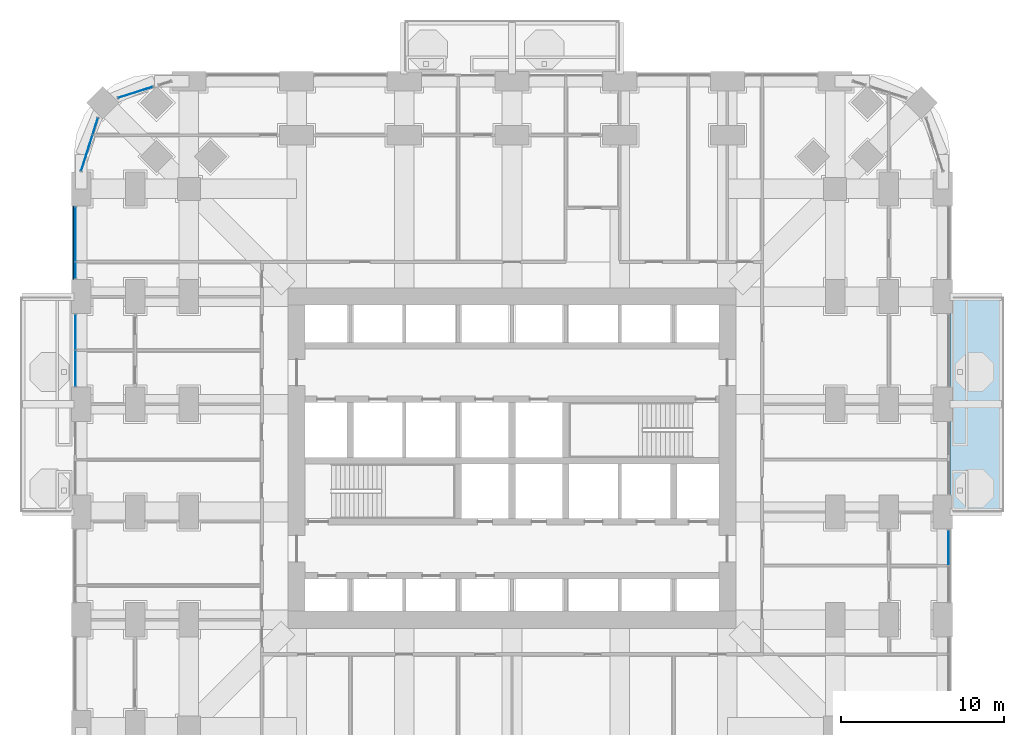
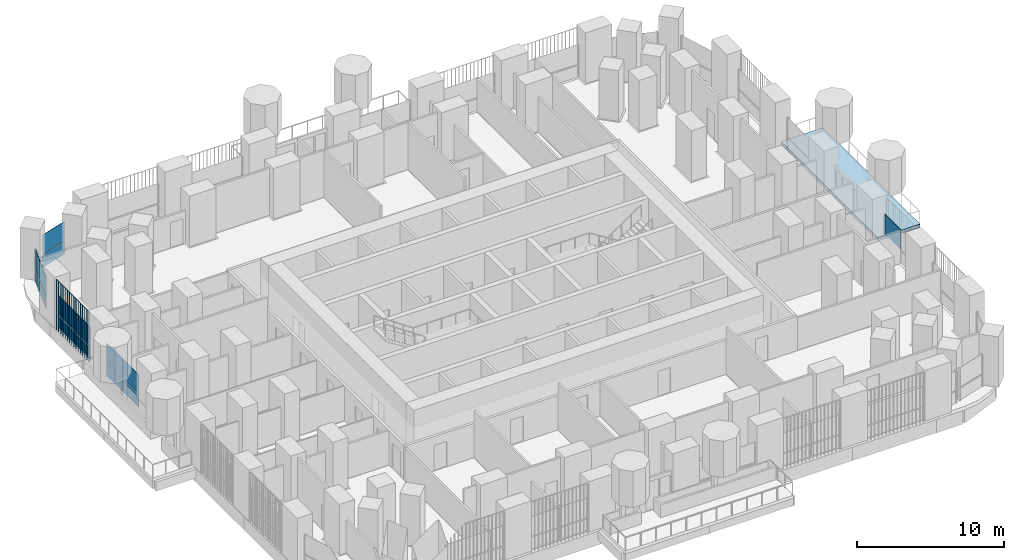
# One storey, part 14 of 26: 16 plates, 1 slab, 5 elements without a shape of their own.
"""IFC4 building model written with IfcOpenShell, lengths in metres."""

import ifcopenshell
import ifcopenshell.guid

model = None  # the IFC model being written
_history = None  # IfcOwnerHistory: only IFC2X3 demands one
_inside = {}  # id of a spatial element -> (the spatial element, [elements in it])
_under = {}  # id of a project, library or spatial element -> (it, [spatial elements below it])
_declared = {}  # id of a project -> (the project, [libraries it declares])
_typed = {}  # id of a type object -> (the type object, [elements of that type])
_made_of = {}  # id of a material, layer set ... -> (it, [elements and type objects made of it])


def new_model(schema):
    """Start an empty IFC model of exactly this schema.

    Asked for "IFC4X3", IfcOpenShell would pick the latest addendum, in which some entities
    have other attributes; the version numbers below select the first issue.
    IFC2X3 requires an IfcOwnerHistory on every rooted entity: one is made here for all.
    """
    global model, _history
    if schema == "IFC4X3":
        model = ifcopenshell.file(schema_version=(4, 3, 0, 0))
    else:
        model = ifcopenshell.file(schema=schema)
    _inside.clear()
    _under.clear()
    _declared.clear()
    _typed.clear()
    _made_of.clear()
    _history = None
    if model.schema == "IFC2X3":
        org = make("IfcOrganization", Name="unknown")
        user = make(
            "IfcPersonAndOrganization",
            ThePerson=make("IfcPerson", FamilyName="unknown"),
            TheOrganization=org,
        )
        app = make(
            "IfcApplication",
            ApplicationDeveloper=org,
            Version="unknown",
            ApplicationFullName="unknown",
            ApplicationIdentifier="unknown",
        )
        _history = make(
            "IfcOwnerHistory",
            OwningUser=user,
            OwningApplication=app,
            ChangeAction="ADDED",
            CreationDate=0,
        )
    return model


def make(cls, **values):
    """One entity of the class cls with the attributes given. An attribute that is None is left unset."""
    return model.create_entity(
        cls, **{name: value for name, value in values.items() if value is not None}
    )


def rooted(cls, **values):
    """An entity with a GlobalId (a new one), such as an element, a storey or a relation."""
    return make(cls, GlobalId=ifcopenshell.guid.new(), OwnerHistory=_history, **values)


def si_unit(unit_type, name, prefix=None):
    """IfcSIUnit, for example si_unit("LENGTHUNIT", "METRE", prefix="MILLI")."""
    return make("IfcSIUnit", UnitType=unit_type, Prefix=prefix, Name=name)


def assignment(units):
    """IfcUnitAssignment: the units of a project."""
    return None if units is None else make("IfcUnitAssignment", Units=units)


def point(xyz):
    """IfcCartesianPoint."""
    return None if xyz is None else make("IfcCartesianPoint", Coordinates=xyz)


def direction(xyz):
    """IfcDirection."""
    return None if xyz is None else make("IfcDirection", DirectionRatios=xyz)


def frame(location, z_axis=None, x_axis=None):
    """IfcAxis2Placement3D, a coordinate frame: its origin and axes. An axis left out is left unset."""
    return make(
        "IfcAxis2Placement3D",
        Location=point(location),
        Axis=direction(z_axis),
        RefDirection=direction(x_axis),
    )


def frame_2d(location, x_axis=None):
    """IfcAxis2Placement2D, a coordinate frame in the plane: its origin and x axis."""
    return make(
        "IfcAxis2Placement2D", Location=point(location), RefDirection=direction(x_axis)
    )


def origin():
    """The frame at (0, 0, 0) with its axes left unset."""
    return frame((0.0, 0.0, 0.0))


def origin_2d():
    """The frame at (0, 0) in the plane with its x axis left unset."""
    return frame_2d((0.0, 0.0))


def place(relative_to, where):
    """IfcLocalPlacement: puts the frame where relative to a parent placement (None: the world)."""
    return make(
        "IfcLocalPlacement", PlacementRelTo=relative_to, RelativePlacement=where
    )


def context(
    kind, dimensions, precision=None, world=None, true_north=None, identifier=None
):
    """IfcGeometricRepresentationContext, for example the 3D "Model" context."""
    return make(
        "IfcGeometricRepresentationContext",
        ContextIdentifier=identifier,
        ContextType=kind,
        CoordinateSpaceDimension=dimensions,
        Precision=precision,
        WorldCoordinateSystem=world,
        TrueNorth=true_north,
    )


def subcontext(parent, identifier, kind, view, scale=None):
    """IfcGeometricRepresentationSubContext, for example "Body" below "Model"."""
    return make(
        "IfcGeometricRepresentationSubContext",
        ContextIdentifier=identifier,
        ContextType=kind,
        ParentContext=parent,
        TargetScale=scale,
        TargetView=view,
    )


def project(units=None, contexts=None):
    """IfcProject with its units and contexts."""
    return rooted(
        "IfcProject",
        Name="project",
        RepresentationContexts=contexts,
        UnitsInContext=assignment(units),
    )


def spatial(cls, under=None, at=None, **own):
    """A site, building, storey or space (cls), placed at a placement, below another one or the project."""
    s = rooted(cls, ObjectPlacement=at, **own)
    if under is not None:
        _under.setdefault(under.id(), (under, []))[1].append(s)
    return s


def polyline(points):
    """IfcPolyline through the points."""
    return make("IfcPolyline", Points=[point(p) for p in points])


def profile(cls, at=None, kind="AREA", **sizes):
    """A parametric profile (cls). Its sizes go by their IFC names, for example OverallWidth=200.0."""
    return make(cls, ProfileType=kind, Position=at, **sizes)


def rectangle(**sizes):
    """IfcRectangleProfileDef."""
    return profile("IfcRectangleProfileDef", **sizes)


def outline(outer, holes=None, kind="AREA"):
    """IfcArbitraryClosedProfileDef: a profile drawn as a closed curve; with holes, ...WithVoids."""
    if holes is None:
        return make("IfcArbitraryClosedProfileDef", ProfileType=kind, OuterCurve=outer)
    return make(
        "IfcArbitraryProfileDefWithVoids",
        ProfileType=kind,
        OuterCurve=outer,
        InnerCurves=holes,
    )


def extrude(swept, where, along, depth):
    """IfcExtrudedAreaSolid: the profile swept, set in the frame where, extruded along a direction by depth."""
    return make(
        "IfcExtrudedAreaSolid",
        SweptArea=swept,
        Position=where,
        ExtrudedDirection=direction(along),
        Depth=depth,
    )


def shape(context_of_items, identifier, shape_type, items):
    """IfcShapeRepresentation: the items that make up one representation, for example the "Body"."""
    return make(
        "IfcShapeRepresentation",
        ContextOfItems=context_of_items,
        RepresentationIdentifier=identifier,
        RepresentationType=shape_type,
        Items=items,
    )


def material(Name=None, Category=None):
    """IfcMaterial."""
    return make("IfcMaterial", Name=Name, Category=Category)


def layer(
    of_material, thickness, ventilated=None, Name=None, Category=None, Priority=None
):
    """IfcMaterialLayer: one layer of a wall or slab, of a material (None: an air gap)."""
    return make(
        "IfcMaterialLayer",
        Material=of_material,
        LayerThickness=thickness,
        IsVentilated=ventilated,
        Name=Name,
        Category=Category,
        Priority=Priority,
    )


def layer_set(layers, Name=None):
    """IfcMaterialLayerSet."""
    return make("IfcMaterialLayerSet", MaterialLayers=layers, LayerSetName=Name)


def made_of(thing, what):
    """Note that an element or type object is made of a material, layer set ...; save() writes the relation."""
    if what is not None:
        _made_of.setdefault(what.id(), (what, []))[1].append(thing)
    return thing


def type_object(cls, material=None, **own):
    """A type object (cls), such as IfcWallType, which elements share."""
    return made_of(rooted(cls, **own), material)


def element(
    cls,
    number,
    at=None,
    inside=None,
    cuts=None,
    type_object=None,
    material=None,
    context=None,
    identifier="Body",
    shape_type=None,
    held_by="IfcProductDefinitionShape",
    body=None,
    shapes=None,
    **own,
):
    """One element of the class cls, such as IfcWall. Its Tag is "e" and its number.

    at: its placement. inside: the storey or other place that contains it. cuts: it is an
    opening in that element (IfcRelVoidsElement). A single representation is given by context,
    identifier, shape_type and body (its items); several are given by shapes. held_by: the class
    of the entity that holds the representations. save() writes the other relations.
    """
    e = rooted(cls, Tag="e%d" % number, ObjectPlacement=at, **own)
    if body is not None:
        shapes = [shape(context, identifier, shape_type, body)]
    if shapes is not None:
        e.Representation = make(held_by, Representations=shapes)
    if inside is not None:
        _inside.setdefault(inside.id(), (inside, []))[1].append(e)
    if cuts is not None:
        rooted(
            "IfcRelVoidsElement", RelatingBuildingElement=cuts, RelatedOpeningElement=e
        )
    if type_object is not None:
        _typed.setdefault(type_object.id(), (type_object, []))[1].append(e)
    return made_of(e, material)


def aggregate(whole, parts):
    """IfcRelAggregates: a whole, such as a stair, and the parts it consists of."""
    return rooted("IfcRelAggregates", RelatingObject=whole, RelatedObjects=parts)


def save(model, path):
    """Write the relations noted so far, then the file.

    IfcRelAggregates (storeys below a building ...), IfcRelContainedInSpatialStructure (elements
    in a storey), IfcRelDefinesByType, IfcRelAssociatesMaterial and IfcRelDeclares: one each for
    every whole, place, type object, material and project.
    """
    for whole, parts in _under.values():
        aggregate(whole, parts)
    for where, things in _inside.values():
        rooted(
            "IfcRelContainedInSpatialStructure",
            RelatedElements=things,
            RelatingStructure=where,
        )
    for kind, things in _typed.values():
        rooted("IfcRelDefinesByType", RelatedObjects=things, RelatingType=kind)
    for what, things in _made_of.values():
        rooted("IfcRelAssociatesMaterial", RelatedObjects=things, RelatingMaterial=what)
    for by, libraries in _declared.values():
        rooted("IfcRelDeclares", RelatingContext=by, RelatedDefinitions=libraries)
    model.write(path)


model = new_model("IFC4")

# Units and contexts
model_context = context("Model", 3, precision=1e-05, world=origin(), true_north=direction((0.0, 1.0)))
body_context = subcontext(model_context, "Body", "Model", "MODEL_VIEW")
ifc_project = project(units=[si_unit("LENGTHUNIT", "METRE"), si_unit("AREAUNIT", "SQUARE_METRE"), si_unit("VOLUMEUNIT", "CUBIC_METRE"), si_unit("PLANEANGLEUNIT", "RADIAN"), si_unit("MASSUNIT", "GRAM", prefix="KILO")], contexts=[model_context])

# Site, building, storey
site_placement = place(None, origin())
site = spatial("IfcSite", under=ifc_project, at=site_placement, CompositionType="ELEMENT")
building_placement = place(site_placement, origin())
building = spatial("IfcBuilding", under=site, at=building_placement, Name="Cobogo Forest Laboratory Tower", CompositionType="ELEMENT")
storey_placement = place(building_placement, frame((0.0, 0.0, 33.89990234375)))
storey = spatial("IfcBuildingStorey", under=building, at=storey_placement, Name="L07", CompositionType="ELEMENT", Elevation=33.89990234375)

# Slab
ifc_material_1 = material(Name="Concrete HA-40 (C40/50)", Category="concrete")
ifc_layer_1 = layer(ifc_material_1, 0.25)
ifc_layer_set_1 = layer_set([ifc_layer_1], Name="Balcony slab 250")
slab_type = type_object("IfcSlabType", Name="Balcony slab 250", PredefinedType="FLOOR", material=ifc_layer_set_1)
slab_placement = place(storey_placement, frame((0.0, 0.0, -0.25)))
element("IfcSlab", 1, at=slab_placement, inside=storey, type_object=slab_type, Name="Balcony BAL-E1 L07", PredefinedType="FLOOR", context=body_context, shape_type="SweptSolid", body=[
    extrude(outline(polyline([(53.25, 19.800048828125), (56.550048828125, 19.800048828125), (56.550048828125, 33.0), (53.25, 33.0), (53.25, 19.800048828125)])), origin(), (0.0, 0.0, 1.0), 0.25),
])

# Curtain wall, plate
ifc_material_2 = material(Name="Aluminium curtain wall", Category="aluminium")
curtain_wall_type = type_object("IfcCurtainWallType", Name="CW-1 unitised curtain wall, clear glazing, laboratory floors zones A and B", PredefinedType="USERDEFINED", material=ifc_material_2)
curtain_wall_1_placement = place(storey_placement, origin())
curtain_wall_1 = element("IfcCurtainWall", 2, at=curtain_wall_1_placement, inside=storey, type_object=curtain_wall_type, Name="Curtain wall 11 L07", ObjectType="UNITISED CURTAIN WALL", PredefinedType="USERDEFINED")
ifc_material_3 = material(Name="Clear insulated glass", Category="glass")
ifc_layer_2 = layer(ifc_material_3, 0.028076171875)
ifc_layer_set_2 = layer_set([ifc_layer_2], Name="GP-1 clear insulated glass unit 28")
plate_type_1 = type_object("IfcPlateType", Name="GP-1 clear insulated glass unit 28", PredefinedType="CURTAIN_PANEL", material=ifc_layer_set_2)
plate_1_placement = place(storey_placement, frame((53.14990234375, 17.610107421875, 1.080078125), z_axis=(0.0, 0.0, 1.0), x_axis=(0.0, 1.0, 0.0)))
plate_1 = element("IfcPlate", 3, at=plate_1_placement, type_object=plate_type_1, Name="CW-1 panel 2.2", PredefinedType="CURTAIN_PANEL", context=body_context, shape_type="SweptSolid", body=[
    extrude(rectangle(XDim=2.159912109375, YDim=0.028076171875, at=origin_2d()), origin(), (0.0, 0.0, 1.0), 1.6201171875),
])
aggregate(curtain_wall_1, [plate_1])

# Curtain wall, plates
curtain_wall_2_placement = place(storey_placement, origin())
curtain_wall_2 = element("IfcCurtainWall", 4, at=curtain_wall_2_placement, inside=storey, type_object=curtain_wall_type, Name="Curtain wall 25 L07", ObjectType="UNITISED CURTAIN WALL", PredefinedType="USERDEFINED")
plate_2_placement = place(storey_placement, frame((3.31787109375, 45.513427734375, 0.0), z_axis=(0.0, 0.0, 1.0), x_axis=(-0.953581409645, -0.301135343623, 0.0)))
plate_2 = element("IfcPlate", 5, at=plate_2_placement, type_object=plate_type_1, Name="CW-1 panel 1.1", PredefinedType="CURTAIN_PANEL", context=body_context, shape_type="SweptSolid", body=[
    extrude(rectangle(XDim=2.203369140625, YDim=0.028076171875, at=origin_2d()), origin(), (0.0, 0.0, 1.0), 1.02001953125),
])
plate_3_placement = place(storey_placement, frame((3.31787109375, 45.513427734375, 1.080078125), z_axis=(0.0, 0.0, 1.0), x_axis=(-0.953581409645, -0.301135343623, 0.0)))
plate_3 = element("IfcPlate", 6, at=plate_3_placement, type_object=plate_type_1, Name="CW-1 panel 1.2", PredefinedType="CURTAIN_PANEL", context=body_context, shape_type="SweptSolid", body=[
    extrude(rectangle(XDim=2.203369140625, YDim=0.028076171875, at=origin_2d()), origin(), (0.0, 0.0, 1.0), 1.6201171875),
])
aggregate(curtain_wall_2, [plate_2, plate_3])

curtain_wall_3_placement = place(storey_placement, origin())
curtain_wall_3 = element("IfcCurtainWall", 7, at=curtain_wall_3_placement, inside=storey, type_object=curtain_wall_type, Name="Curtain wall 26 L07", ObjectType="UNITISED CURTAIN WALL", PredefinedType="USERDEFINED")
plate_4_placement = place(storey_placement, frame((0.863525390625, 43.442626953125, 0.0), z_axis=(0.0, 0.0, 1.0), x_axis=(-0.30113535792, -0.95358140513, 0.0)))
plate_4 = element("IfcPlate", 8, at=plate_4_placement, type_object=plate_type_1, Name="CW-1 panel 1.1", PredefinedType="CURTAIN_PANEL", context=body_context, shape_type="SweptSolid", body=[
    extrude(rectangle(XDim=1.027587890625, YDim=0.028076171875, at=origin_2d()), origin(), (0.0, 0.0, 1.0), 1.02001953125),
])
plate_5_placement = place(storey_placement, frame((0.863525390625, 43.442626953125, 1.080078125), z_axis=(0.0, 0.0, 1.0), x_axis=(-0.30113535792, -0.95358140513, 0.0)))
plate_5 = element("IfcPlate", 9, at=plate_5_placement, type_object=plate_type_1, Name="CW-1 panel 1.2", PredefinedType="CURTAIN_PANEL", context=body_context, shape_type="SweptSolid", body=[
    extrude(rectangle(XDim=1.027587890625, YDim=0.028076171875, at=origin_2d()), origin(), (0.0, 0.0, 1.0), 1.6201171875),
])
plate_6_placement = place(storey_placement, frame((0.34521484375, 41.80126953125, 0.0), z_axis=(0.0, 0.0, 1.0), x_axis=(-0.30113535792, -0.95358140513, 0.0)))
plate_6 = element("IfcPlate", 10, at=plate_6_placement, type_object=plate_type_1, Name="CW-1 panel 2.1", PredefinedType="CURTAIN_PANEL", context=body_context, shape_type="SweptSolid", body=[
    extrude(rectangle(XDim=2.294677734375, YDim=0.028076171875, at=origin_2d()), origin(), (0.0, 0.0, 1.0), 1.02001953125),
])
plate_7_placement = place(storey_placement, frame((0.34521484375, 41.80126953125, 1.080078125), z_axis=(0.0, 0.0, 1.0), x_axis=(-0.30113535792, -0.95358140513, 0.0)))
plate_7 = element("IfcPlate", 11, at=plate_7_placement, type_object=plate_type_1, Name="CW-1 panel 2.2", PredefinedType="CURTAIN_PANEL", context=body_context, shape_type="SweptSolid", body=[
    extrude(rectangle(XDim=2.294677734375, YDim=0.028076171875, at=origin_2d()), origin(), (0.0, 0.0, 1.0), 1.6201171875),
])
aggregate(curtain_wall_3, [plate_4, plate_5, plate_6, plate_7])

curtain_wall_4_placement = place(storey_placement, origin())
curtain_wall_4 = element("IfcCurtainWall", 12, at=curtain_wall_4_placement, inside=storey, type_object=curtain_wall_type, Name="Curtain wall 27 L07", ObjectType="UNITISED CURTAIN WALL", PredefinedType="USERDEFINED")
plate_8_placement = place(storey_placement, frame((-0.35009765625, 36.822509765625, 0.0), z_axis=(0.0, 0.0, 1.0), x_axis=(0.0, -1.0, 0.0)))
plate_8 = element("IfcPlate", 13, at=plate_8_placement, type_object=plate_type_1, Name="CW-1 panel 1.1", PredefinedType="CURTAIN_PANEL", context=body_context, shape_type="SweptSolid", body=[
    extrude(rectangle(XDim=3.3349609375, YDim=0.028076171875, at=origin_2d()), origin(), (0.0, 0.0, 1.0), 1.02001953125),
])
plate_9_placement = place(storey_placement, frame((-0.35009765625, 36.822509765625, 1.080078125), z_axis=(0.0, 0.0, 1.0), x_axis=(0.0, -1.0, 0.0)))
plate_9 = element("IfcPlate", 14, at=plate_9_placement, type_object=plate_type_1, Name="CW-1 panel 1.2", PredefinedType="CURTAIN_PANEL", context=body_context, shape_type="SweptSolid", body=[
    extrude(rectangle(XDim=3.3349609375, YDim=0.028076171875, at=origin_2d()), origin(), (0.0, 0.0, 1.0), 1.6201171875),
])
plate_10_placement = place(storey_placement, frame((-0.35009765625, 34.6025390625, 0.0), z_axis=(0.0, 0.0, 1.0), x_axis=(0.0, -1.0, 0.0)))
plate_10 = element("IfcPlate", 15, at=plate_10_placement, type_object=plate_type_1, Name="CW-1 panel 2.1", PredefinedType="CURTAIN_PANEL", context=body_context, shape_type="SweptSolid", body=[
    extrude(rectangle(XDim=0.985107421875, YDim=0.028076171875, at=origin_2d()), origin(), (0.0, 0.0, 1.0), 1.02001953125),
])
plate_11_placement = place(storey_placement, frame((-0.35009765625, 34.6025390625, 1.080078125), z_axis=(0.0, 0.0, 1.0), x_axis=(0.0, -1.0, 0.0)))
plate_11 = element("IfcPlate", 16, at=plate_11_placement, type_object=plate_type_1, Name="CW-1 panel 2.2", PredefinedType="CURTAIN_PANEL", context=body_context, shape_type="SweptSolid", body=[
    extrude(rectangle(XDim=0.985107421875, YDim=0.028076171875, at=origin_2d()), origin(), (0.0, 0.0, 1.0), 1.6201171875),
])
aggregate(curtain_wall_4, [plate_8, plate_9, plate_10, plate_11])

curtain_wall_5_placement = place(storey_placement, origin())
curtain_wall_5 = element("IfcCurtainWall", 17, at=curtain_wall_5_placement, inside=storey, type_object=curtain_wall_type, Name="Curtain wall 28 L07", ObjectType="UNITISED CURTAIN WALL", PredefinedType="USERDEFINED")
plate_12_placement = place(storey_placement, frame((-0.35009765625, 30.81005859375, 0.0), z_axis=(0.0, 0.0, 1.0), x_axis=(0.0, -1.0, 0.0)))
plate_12 = element("IfcPlate", 18, at=plate_12_placement, type_object=plate_type_1, Name="CW-1 panel 1.1", PredefinedType="CURTAIN_PANEL", context=body_context, shape_type="SweptSolid", body=[
    extrude(rectangle(XDim=2.159912109375, YDim=0.028076171875, at=origin_2d()), origin(), (0.0, 0.0, 1.0), 1.02001953125),
])
plate_13_placement = place(storey_placement, frame((-0.35009765625, 30.81005859375, 1.080078125), z_axis=(0.0, 0.0, 1.0), x_axis=(0.0, -1.0, 0.0)))
plate_13 = element("IfcPlate", 19, at=plate_13_placement, type_object=plate_type_1, Name="CW-1 panel 1.2", PredefinedType="CURTAIN_PANEL", context=body_context, shape_type="SweptSolid", body=[
    extrude(rectangle(XDim=2.159912109375, YDim=0.028076171875, at=origin_2d()), origin(), (0.0, 0.0, 1.0), 1.6201171875),
])
plate_14_placement = place(storey_placement, frame((-0.35009765625, 28.590087890625, 0.0), z_axis=(0.0, 0.0, 1.0), x_axis=(0.0, -1.0, 0.0)))
plate_14 = element("IfcPlate", 20, at=plate_14_placement, type_object=plate_type_1, Name="CW-1 panel 2.1", PredefinedType="CURTAIN_PANEL", context=body_context, shape_type="SweptSolid", body=[
    extrude(rectangle(XDim=2.159912109375, YDim=0.028076171875, at=origin_2d()), origin(), (0.0, 0.0, 1.0), 1.02001953125),
])
plate_15_placement = place(storey_placement, frame((-0.35009765625, 28.590087890625, 1.080078125), z_axis=(0.0, 0.0, 1.0), x_axis=(0.0, -1.0, 0.0)))
plate_15 = element("IfcPlate", 21, at=plate_15_placement, type_object=plate_type_1, Name="CW-1 panel 2.2", PredefinedType="CURTAIN_PANEL", context=body_context, shape_type="SweptSolid", body=[
    extrude(rectangle(XDim=2.159912109375, YDim=0.028076171875, at=origin_2d()), origin(), (0.0, 0.0, 1.0), 1.6201171875),
])
aggregate(curtain_wall_5, [plate_12, plate_13, plate_14, plate_15])

# Plate
ifc_material_4 = material(Name="Terracotta", Category="masonry")
plate_type_2 = type_object("IfcPlateType", Name="TB1 terracotta baguette screen", PredefinedType="USERDEFINED", material=ifc_material_4)
plate_16_placement = place(storey_placement, frame((-0.477783203125, 34.081298828125, -0.14990234375)))
element("IfcPlate", 22, at=plate_16_placement, inside=storey, type_object=plate_type_2, Name="Baguette screen W5 L07", ObjectType="BAGUETTE SCREEN", PredefinedType="USERDEFINED", context=body_context, shape_type="SweptSolid", body=[
    extrude(outline(polyline([(0.02880859375, 0.011962890625), (0.011962890625, 0.02880859375), (-0.011962890625, 0.02880859375), (-0.02880859375, 0.011962890625), (-0.02880859375, -0.011962890625), (-0.011962890625, -0.02880859375), (0.011962890625, -0.02880859375), (0.02880859375, -0.011962890625), (0.02880859375, 0.011962890625)])), frame((0.0, 0.0, 4.168701171875), z_axis=(0.0, 1.0, 0.0), x_axis=(-1.0, 0.0, 0.0)), (0.0, 0.0, 1.0), 4.4375),
    extrude(outline(polyline([(0.02880859375, 0.011962890625), (0.011962890625, 0.02880859375), (-0.011962890625, 0.02880859375), (-0.02880859375, 0.011962890625), (-0.02880859375, -0.011962890625), (-0.011962890625, -0.02880859375), (0.011962890625, -0.02880859375), (0.02880859375, -0.011962890625), (0.02880859375, 0.011962890625)])), origin(), (0.0, 0.0, 1.0), 4.137451171875),
    extrude(outline(polyline([(0.02880859375, 0.011962890625), (0.011962890625, 0.02880859375), (-0.011962890625, 0.02880859375), (-0.02880859375, 0.011962890625), (-0.02880859375, -0.011962890625), (-0.011962890625, -0.02880859375), (0.011962890625, -0.02880859375), (0.02880859375, -0.011962890625), (0.02880859375, 0.011962890625)])), frame((0.0, 0.2958984375, 0.0)), (0.0, 0.0, 1.0), 4.137451171875),
    extrude(outline(polyline([(0.02880859375, 0.011962890625), (0.011962890625, 0.02880859375), (-0.011962890625, 0.02880859375), (-0.02880859375, 0.011962890625), (-0.02880859375, -0.011962890625), (-0.011962890625, -0.02880859375), (0.011962890625, -0.02880859375), (0.02880859375, -0.011962890625), (0.02880859375, 0.011962890625)])), frame((0.0, 0.591552734375, 0.0)), (0.0, 0.0, 1.0), 4.137451171875),
    extrude(outline(polyline([(0.02880859375, 0.011962890625), (0.011962890625, 0.02880859375), (-0.011962890625, 0.02880859375), (-0.02880859375, 0.011962890625), (-0.02880859375, -0.011962890625), (-0.011962890625, -0.02880859375), (0.011962890625, -0.02880859375), (0.02880859375, -0.011962890625), (0.02880859375, 0.011962890625)])), frame((0.0, 0.887451171875, 0.0)), (0.0, 0.0, 1.0), 4.137451171875),
    extrude(outline(polyline([(0.02880859375, 0.011962890625), (0.011962890625, 0.02880859375), (-0.011962890625, 0.02880859375), (-0.02880859375, 0.011962890625), (-0.02880859375, -0.011962890625), (-0.011962890625, -0.02880859375), (0.011962890625, -0.02880859375), (0.02880859375, -0.011962890625), (0.02880859375, 0.011962890625)])), frame((0.0, 1.183349609375, 0.0)), (0.0, 0.0, 1.0), 4.137451171875),
    extrude(outline(polyline([(0.02880859375, 0.011962890625), (0.011962890625, 0.02880859375), (-0.011962890625, 0.02880859375), (-0.02880859375, 0.011962890625), (-0.02880859375, -0.011962890625), (-0.011962890625, -0.02880859375), (0.011962890625, -0.02880859375), (0.02880859375, -0.011962890625), (0.02880859375, 0.011962890625)])), frame((0.0, 1.479248046875, 0.0)), (0.0, 0.0, 1.0), 4.137451171875),
    extrude(outline(polyline([(0.02880859375, 0.011962890625), (0.011962890625, 0.02880859375), (-0.011962890625, 0.02880859375), (-0.02880859375, 0.011962890625), (-0.02880859375, -0.011962890625), (-0.011962890625, -0.02880859375), (0.011962890625, -0.02880859375), (0.02880859375, -0.011962890625), (0.02880859375, 0.011962890625)])), frame((0.0, 1.77490234375, 0.0)), (0.0, 0.0, 1.0), 4.137451171875),
    extrude(outline(polyline([(0.02880859375, 0.011962890625), (0.011962890625, 0.02880859375), (-0.011962890625, 0.02880859375), (-0.02880859375, 0.011962890625), (-0.02880859375, -0.011962890625), (-0.011962890625, -0.02880859375), (0.011962890625, -0.02880859375), (0.02880859375, -0.011962890625), (0.02880859375, 0.011962890625)])), frame((0.0, 2.07080078125, 0.0)), (0.0, 0.0, 1.0), 4.137451171875),
    extrude(outline(polyline([(0.02880859375, 0.011962890625), (0.011962890625, 0.02880859375), (-0.011962890625, 0.02880859375), (-0.02880859375, 0.011962890625), (-0.02880859375, -0.011962890625), (-0.011962890625, -0.02880859375), (0.011962890625, -0.02880859375), (0.02880859375, -0.011962890625), (0.02880859375, 0.011962890625)])), frame((0.0, 2.36669921875, 0.0)), (0.0, 0.0, 1.0), 4.137451171875),
    extrude(outline(polyline([(0.02880859375, 0.011962890625), (0.011962890625, 0.02880859375), (-0.011962890625, 0.02880859375), (-0.02880859375, 0.011962890625), (-0.02880859375, -0.011962890625), (-0.011962890625, -0.02880859375), (0.011962890625, -0.02880859375), (0.02880859375, -0.011962890625), (0.02880859375, 0.011962890625)])), frame((0.0, 2.66259765625, 0.0)), (0.0, 0.0, 1.0), 4.137451171875),
    extrude(outline(polyline([(0.02880859375, 0.011962890625), (0.011962890625, 0.02880859375), (-0.011962890625, 0.02880859375), (-0.02880859375, 0.011962890625), (-0.02880859375, -0.011962890625), (-0.011962890625, -0.02880859375), (0.011962890625, -0.02880859375), (0.02880859375, -0.011962890625), (0.02880859375, 0.011962890625)])), frame((0.0, 2.958251953125, 0.0)), (0.0, 0.0, 1.0), 4.137451171875),
    extrude(outline(polyline([(0.02880859375, 0.011962890625), (0.011962890625, 0.02880859375), (-0.011962890625, 0.02880859375), (-0.02880859375, 0.011962890625), (-0.02880859375, -0.011962890625), (-0.011962890625, -0.02880859375), (0.011962890625, -0.02880859375), (0.02880859375, -0.011962890625), (0.02880859375, 0.011962890625)])), frame((0.0, 3.254150390625, 0.0)), (0.0, 0.0, 1.0), 4.137451171875),
    extrude(outline(polyline([(0.02880859375, 0.011962890625), (0.011962890625, 0.02880859375), (-0.011962890625, 0.02880859375), (-0.02880859375, 0.011962890625), (-0.02880859375, -0.011962890625), (-0.011962890625, -0.02880859375), (0.011962890625, -0.02880859375), (0.02880859375, -0.011962890625), (0.02880859375, 0.011962890625)])), frame((0.0, 3.550048828125, 0.0)), (0.0, 0.0, 1.0), 4.137451171875),
    extrude(outline(polyline([(0.02880859375, 0.011962890625), (0.011962890625, 0.02880859375), (-0.011962890625, 0.02880859375), (-0.02880859375, 0.011962890625), (-0.02880859375, -0.011962890625), (-0.011962890625, -0.02880859375), (0.011962890625, -0.02880859375), (0.02880859375, -0.011962890625), (0.02880859375, 0.011962890625)])), frame((0.0, 3.845947265625, 0.0)), (0.0, 0.0, 1.0), 4.137451171875),
    extrude(outline(polyline([(0.02880859375, 0.011962890625), (0.011962890625, 0.02880859375), (-0.011962890625, 0.02880859375), (-0.02880859375, 0.011962890625), (-0.02880859375, -0.011962890625), (-0.011962890625, -0.02880859375), (0.011962890625, -0.02880859375), (0.02880859375, -0.011962890625), (0.02880859375, 0.011962890625)])), frame((0.0, 4.1416015625, 0.0)), (0.0, 0.0, 1.0), 4.137451171875),
    extrude(outline(polyline([(0.02880859375, 0.011962890625), (0.011962890625, 0.02880859375), (-0.011962890625, 0.02880859375), (-0.02880859375, 0.011962890625), (-0.02880859375, -0.011962890625), (-0.011962890625, -0.02880859375), (0.011962890625, -0.02880859375), (0.02880859375, -0.011962890625), (0.02880859375, 0.011962890625)])), frame((0.0, 4.4375, 0.0)), (0.0, 0.0, 1.0), 4.137451171875),
])

save(model, "model.ifc")
